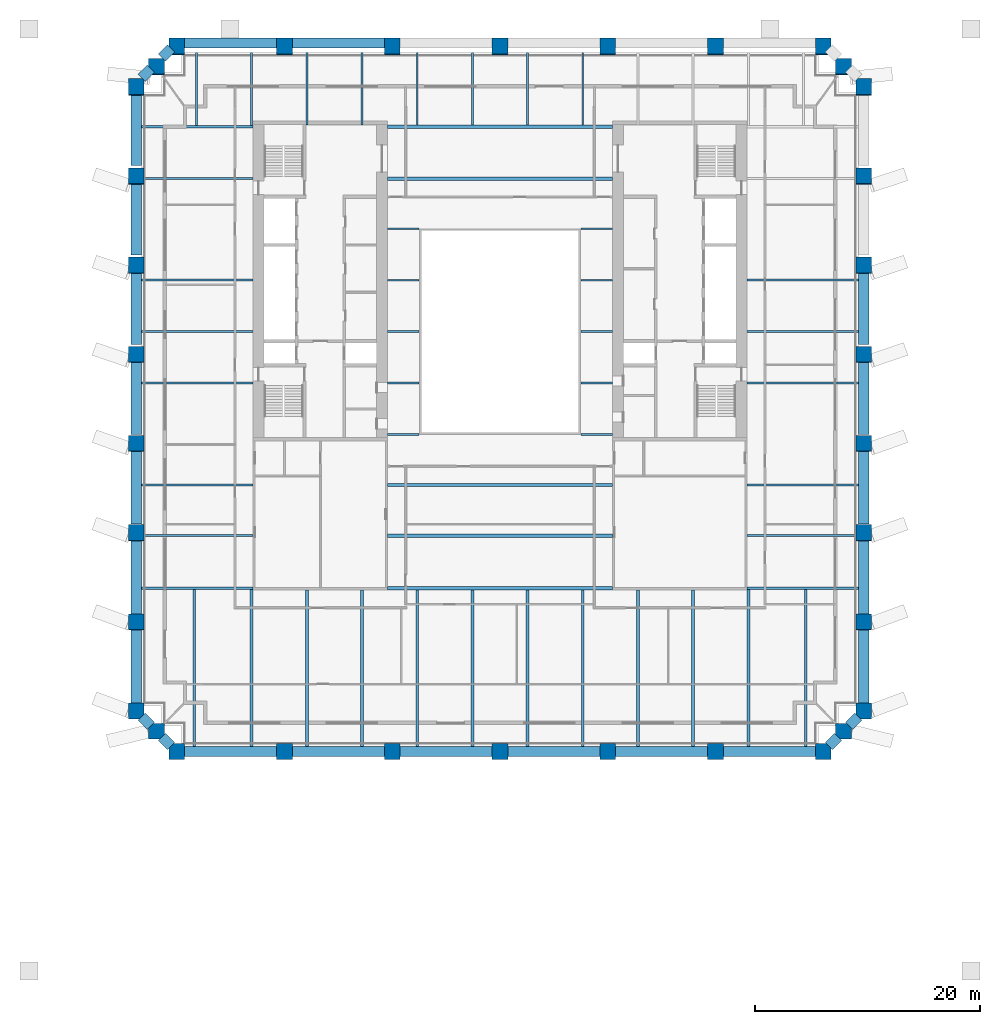
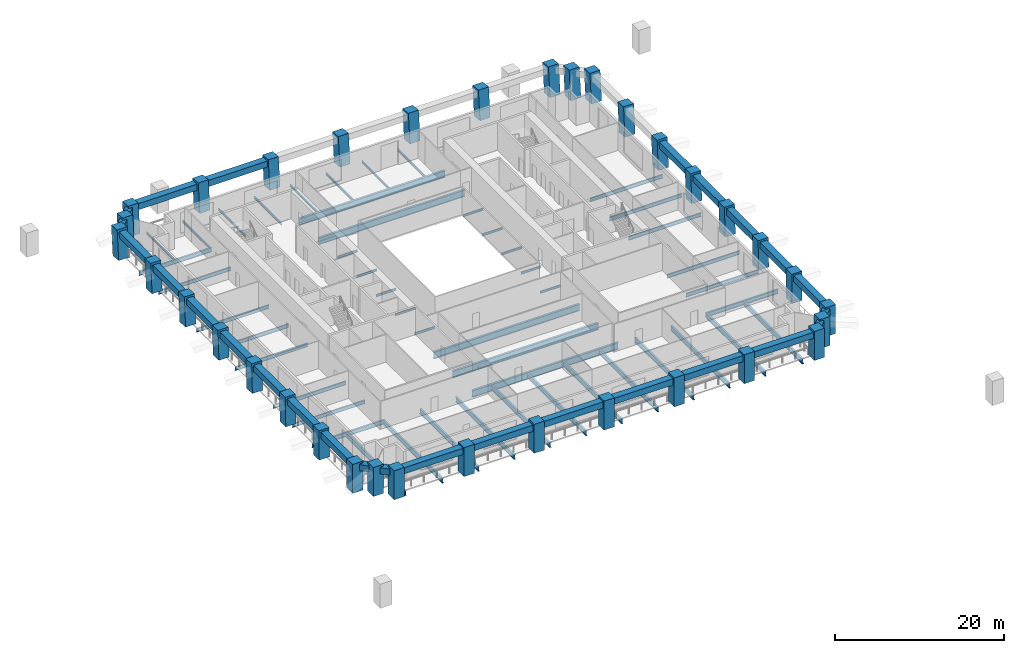
# One storey, part 1 of 10: 75 beams, 34 columns.
"""IFC4 building model written with IfcOpenShell, lengths in metres."""

from ifc_helpers import new_model, si_unit, direction, frame, origin, origin_2d, place, context, subcontext, project, spatial, rectangle, i_section, extrude, material, material_profile, profile_set, type_object, element, save


model = new_model("IFC4")

# Units and contexts
model_context = context("Model", 3, precision=1e-05, world=origin(), true_north=direction((0.0, 1.0)))
body_context = subcontext(model_context, "Body", "Model", "MODEL_VIEW")
ifc_project = project(units=[si_unit("LENGTHUNIT", "METRE"), si_unit("AREAUNIT", "SQUARE_METRE"), si_unit("VOLUMEUNIT", "CUBIC_METRE"), si_unit("PLANEANGLEUNIT", "RADIAN"), si_unit("MASSUNIT", "GRAM", prefix="KILO")], contexts=[model_context])

# Site, building, storey
site_placement = place(None, origin())
site = spatial("IfcSite", under=ifc_project, at=site_placement, CompositionType="ELEMENT")
building_placement = place(site_placement, origin())
building = spatial("IfcBuilding", under=site, at=building_placement, Name="Ogive Exchange Tower", CompositionType="ELEMENT")
storey_placement = place(building_placement, frame((0.0, 0.0, 43.800048828125)))
storey = spatial("IfcBuildingStorey", under=building, at=storey_placement, Name="L08", CompositionType="ELEMENT", Elevation=43.800048828125)

# Columns
ifc_material_1 = material(Name="Precast concrete C70/85 (limestone faced)", Category="masonry")
ifc_material_profile_1 = material_profile(ifc_material_1, rectangle(XDim=1.39990234375, YDim=1.39990234375, at=origin_2d()), Name="1400 x 1400")
ifc_profile_set_1 = profile_set([ifc_material_profile_1], Name="Precast concrete C70/85 (limestone faced)")
column_type = type_object("IfcColumnType", Name="Precast exoskeleton leg 1400 x 1400 C70/85", PredefinedType="COLUMN", material=ifc_profile_set_1)
for number, where, z_axis, x_axis, name in (
    (1, (-28.800048828125, -30.39990234375, 0.0), (0.0, 0.0, 1.0), (1.0, 0.0, 0.0), "Exoskeleton leg 1"),
    (2, (-19.199951171875, -30.39990234375, 0.0), (0.0, 0.0, 1.0), (1.0, 0.0, 0.0), "Exoskeleton leg 2"),
    (3, (-9.60009765625, -30.39990234375, 0.0), (0.0, 0.0, 1.0), (1.0, 0.0, 0.0), "Exoskeleton leg 3"),
    (4, (0.0, -30.39990234375, 0.0), (0.0, 0.0, 1.0), (1.0, 0.0, 0.0), "Exoskeleton leg 4"),
    (5, (9.60009765625, -30.39990234375, 0.0), (0.0, 0.0, 1.0), (1.0, 0.0, 0.0), "Exoskeleton leg 5"),
    (6, (19.199951171875, -30.39990234375, 0.0), (0.0, 0.0, 1.0), (1.0, 0.0, 0.0), "Exoskeleton leg 6"),
    (7, (28.800048828125, -30.39990234375, 0.0), (0.0, 0.0, 1.0), (1.0, 0.0, 0.0), "Exoskeleton leg 7"),
    (8, (32.39990234375, -26.800048828125, 0.0), (0.0, 0.0, 1.0), (1.0, 0.0, 0.0), "Exoskeleton leg 8"),
):
    element("IfcColumn", number, at=place(storey_placement, frame(where, z_axis=z_axis, x_axis=x_axis)), inside=storey, type_object=column_type, Name=name, PredefinedType="COLUMN", context=body_context, shape_type="SweptSolid", body=[
        extrude(rectangle(XDim=1.39990234375, YDim=1.39990234375, at=origin_2d()), origin(), (0.0, 0.0, 1.0), 4.199951171875),
    ])
column_1_placement = place(storey_placement, frame((32.39990234375, -18.867431640625, 0.0), z_axis=(0.0, 0.012961766342, 0.999915992778), x_axis=(-1.0, 0.0, 0.0)))
element("IfcColumn", 9, at=column_1_placement, inside=storey, type_object=column_type, Name="Exoskeleton leg 9", PredefinedType="COLUMN", context=body_context, shape_type="SweptSolid", body=[
    extrude(rectangle(XDim=1.39990234375, YDim=1.39990234375, at=origin_2d()), origin(), (0.0, 0.0, 1.0), 4.2001953125),
])
column_2_placement = place(storey_placement, frame((32.39990234375, -10.93505859375, 0.0), z_axis=(0.0, 0.025975072843, 0.999662590873), x_axis=(-1.0, 0.0, 0.0)))
element("IfcColumn", 10, at=column_2_placement, inside=storey, type_object=column_type, Name="Exoskeleton leg 10", PredefinedType="COLUMN", context=body_context, shape_type="SweptSolid", body=[
    extrude(rectangle(XDim=1.39990234375, YDim=1.39990234375, at=origin_2d()), origin(), (0.0, 0.0, 1.0), 4.201416015625),
])
column_3_placement = place(storey_placement, frame((32.39990234375, -3.002685546875, 0.0), z_axis=(0.0, 0.038917190853, 0.999242439179), x_axis=(-1.0, 0.0, 0.0)))
element("IfcColumn", 11, at=column_3_placement, inside=storey, type_object=column_type, Name="Exoskeleton leg 11", PredefinedType="COLUMN", context=body_context, shape_type="SweptSolid", body=[
    extrude(rectangle(XDim=1.39990234375, YDim=1.39990234375, at=origin_2d()), origin(), (0.0, 0.0, 1.0), 4.203125),
])
column_4_placement = place(storey_placement, frame((32.39990234375, 4.929931640625, 0.0), z_axis=(0.0, 0.051897648879, 0.99865240902), x_axis=(-1.0, 0.0, 0.0)))
element("IfcColumn", 12, at=column_4_placement, inside=storey, type_object=column_type, Name="Exoskeleton leg 12", PredefinedType="COLUMN", context=body_context, shape_type="SweptSolid", body=[
    extrude(rectangle(XDim=1.39990234375, YDim=1.39990234375, at=origin_2d()), origin(), (0.0, 0.0, 1.0), 4.20556640625),
])
column_5_placement = place(storey_placement, frame((32.39990234375, 12.8623046875, 0.0), z_axis=(0.0, 0.064794093908, 0.997898654872), x_axis=(-1.0, 0.0, 0.0)))
element("IfcColumn", 13, at=column_5_placement, inside=storey, type_object=column_type, Name="Exoskeleton leg 13", PredefinedType="COLUMN", context=body_context, shape_type="SweptSolid", body=[
    extrude(rectangle(XDim=1.39990234375, YDim=1.39990234375, at=origin_2d()), origin(), (0.0, 0.0, 1.0), 4.208740234375),
])
column_6_placement = place(storey_placement, frame((32.39990234375, 20.794921875, 0.0), z_axis=(0.0, 0.077658156178, 0.996980045326), x_axis=(-1.0, 0.0, 0.0)))
element("IfcColumn", 14, at=column_6_placement, inside=storey, type_object=column_type, Name="Exoskeleton leg 14", PredefinedType="COLUMN", context=body_context, shape_type="SweptSolid", body=[
    extrude(rectangle(XDim=1.39990234375, YDim=1.39990234375, at=origin_2d()), origin(), (0.0, 0.0, 1.0), 4.212646484375),
])
for number, where, z_axis, x_axis, name in (
    (15, (32.39990234375, 28.727294921875, 0.0), (0.0, 0.090540965689, 0.995892731941), (-1.0, 0.0, 0.0), "Exoskeleton leg 15"),
    (16, (28.800048828125, 32.327392578125, 0.0), (0.0, 0.090483549163, 0.995897950259), (-1.0, 0.0, 0.0), "Exoskeleton leg 16"),
    (17, (19.199951171875, 32.327392578125, 0.0), (0.0, 0.090483549163, 0.995897950259), (-1.0, 0.0, 0.0), "Exoskeleton leg 17"),
    (18, (9.60009765625, 32.327392578125, 0.0), (0.0, 0.090483549163, 0.995897950259), (-1.0, 0.0, 0.0), "Exoskeleton leg 18"),
    (19, (0.0, 32.327392578125, 0.0), (0.0, 0.090483549163, 0.995897950259), (-1.0, 0.0, 0.0), "Exoskeleton leg 19"),
    (20, (-9.60009765625, 32.327392578125, 0.0), (0.0, 0.090483549163, 0.995897950259), (-1.0, 0.0, 0.0), "Exoskeleton leg 20"),
    (21, (-19.199951171875, 32.327392578125, 0.0), (0.0, 0.090483549163, 0.995897950259), (-1.0, 0.0, 0.0), "Exoskeleton leg 21"),
    (22, (-28.800048828125, 32.327392578125, 0.0), (0.0, 0.090483549163, 0.995897950259), (-1.0, 0.0, 0.0), "Exoskeleton leg 22"),
    (23, (-32.39990234375, 28.727294921875, 0.0), (0.0, 0.090540965689, 0.995892731941), (-1.0, 0.0, 0.0), "Exoskeleton leg 23"),
):
    element("IfcColumn", number, at=place(storey_placement, frame(where, z_axis=z_axis, x_axis=x_axis)), inside=storey, type_object=column_type, Name=name, PredefinedType="COLUMN", context=body_context, shape_type="SweptSolid", body=[
        extrude(rectangle(XDim=1.39990234375, YDim=1.39990234375, at=origin_2d()), origin(), (0.0, 0.0, 1.0), 4.21728515625),
    ])
column_7_placement = place(storey_placement, frame((-32.39990234375, 20.794921875, 0.0), z_axis=(0.0, 0.077658156178, 0.996980045326), x_axis=(-1.0, 0.0, 0.0)))
element("IfcColumn", 24, at=column_7_placement, inside=storey, type_object=column_type, Name="Exoskeleton leg 24", PredefinedType="COLUMN", context=body_context, shape_type="SweptSolid", body=[
    extrude(rectangle(XDim=1.39990234375, YDim=1.39990234375, at=origin_2d()), origin(), (0.0, 0.0, 1.0), 4.212646484375),
])
column_8_placement = place(storey_placement, frame((-32.39990234375, 12.8623046875, 0.0), z_axis=(0.0, 0.064794093908, 0.997898654872), x_axis=(-1.0, 0.0, 0.0)))
element("IfcColumn", 25, at=column_8_placement, inside=storey, type_object=column_type, Name="Exoskeleton leg 25", PredefinedType="COLUMN", context=body_context, shape_type="SweptSolid", body=[
    extrude(rectangle(XDim=1.39990234375, YDim=1.39990234375, at=origin_2d()), origin(), (0.0, 0.0, 1.0), 4.208740234375),
])
column_9_placement = place(storey_placement, frame((-32.39990234375, 4.929931640625, 0.0), z_axis=(0.0, 0.051897648879, 0.99865240902), x_axis=(-1.0, 0.0, 0.0)))
element("IfcColumn", 26, at=column_9_placement, inside=storey, type_object=column_type, Name="Exoskeleton leg 26", PredefinedType="COLUMN", context=body_context, shape_type="SweptSolid", body=[
    extrude(rectangle(XDim=1.39990234375, YDim=1.39990234375, at=origin_2d()), origin(), (0.0, 0.0, 1.0), 4.20556640625),
])
column_10_placement = place(storey_placement, frame((-32.39990234375, -3.002685546875, 0.0), z_axis=(0.0, 0.038917190853, 0.999242439179), x_axis=(-1.0, 0.0, 0.0)))
element("IfcColumn", 27, at=column_10_placement, inside=storey, type_object=column_type, Name="Exoskeleton leg 27", PredefinedType="COLUMN", context=body_context, shape_type="SweptSolid", body=[
    extrude(rectangle(XDim=1.39990234375, YDim=1.39990234375, at=origin_2d()), origin(), (0.0, 0.0, 1.0), 4.203125),
])
column_11_placement = place(storey_placement, frame((-32.39990234375, -10.93505859375, 0.0), z_axis=(0.0, 0.025975072843, 0.999662590873), x_axis=(-1.0, 0.0, 0.0)))
element("IfcColumn", 28, at=column_11_placement, inside=storey, type_object=column_type, Name="Exoskeleton leg 28", PredefinedType="COLUMN", context=body_context, shape_type="SweptSolid", body=[
    extrude(rectangle(XDim=1.39990234375, YDim=1.39990234375, at=origin_2d()), origin(), (0.0, 0.0, 1.0), 4.201416015625),
])
column_12_placement = place(storey_placement, frame((-32.39990234375, -18.867431640625, 0.0), z_axis=(0.0, 0.012961766342, 0.999915992778), x_axis=(-1.0, 0.0, 0.0)))
element("IfcColumn", 29, at=column_12_placement, inside=storey, type_object=column_type, Name="Exoskeleton leg 29", PredefinedType="COLUMN", context=body_context, shape_type="SweptSolid", body=[
    extrude(rectangle(XDim=1.39990234375, YDim=1.39990234375, at=origin_2d()), origin(), (0.0, 0.0, 1.0), 4.2001953125),
])
for number, where, z_axis, x_axis, name in (
    (30, (-32.39990234375, -26.800048828125, 0.0), (0.0, 0.0, 1.0), (1.0, 0.0, 0.0), "Exoskeleton leg 30"),
    (31, (30.60009765625, -28.60009765625, 0.0), (0.0, 0.0, 1.0), (1.0, 0.0, 0.0), "Exoskeleton leg 31"),
):
    element("IfcColumn", number, at=place(storey_placement, frame(where, z_axis=z_axis, x_axis=x_axis)), inside=storey, type_object=column_type, Name=name, PredefinedType="COLUMN", context=body_context, shape_type="SweptSolid", body=[
        extrude(rectangle(XDim=1.39990234375, YDim=1.39990234375, at=origin_2d()), origin(), (0.0, 0.0, 1.0), 4.199951171875),
    ])
for number, where, z_axis, x_axis, name in (
    (32, (30.60009765625, 30.52734375, 0.0), (0.0, 0.090540965689, 0.995892731941), (-1.0, 0.0, 0.0), "Exoskeleton leg 32"),
    (33, (-30.60009765625, 30.52734375, 0.0), (0.0, 0.090540965689, 0.995892731941), (-1.0, 0.0, 0.0), "Exoskeleton leg 33"),
):
    element("IfcColumn", number, at=place(storey_placement, frame(where, z_axis=z_axis, x_axis=x_axis)), inside=storey, type_object=column_type, Name=name, PredefinedType="COLUMN", context=body_context, shape_type="SweptSolid", body=[
        extrude(rectangle(XDim=1.39990234375, YDim=1.39990234375, at=origin_2d()), origin(), (0.0, 0.0, 1.0), 4.21728515625),
    ])
column_13_placement = place(storey_placement, frame((-30.60009765625, -28.60009765625, 0.0), z_axis=(0.0, 0.0, 1.0), x_axis=(1.0, 0.0, 0.0)))
element("IfcColumn", 34, at=column_13_placement, inside=storey, type_object=column_type, Name="Exoskeleton leg 34", PredefinedType="COLUMN", context=body_context, shape_type="SweptSolid", body=[
    extrude(rectangle(XDim=1.39990234375, YDim=1.39990234375, at=origin_2d()), origin(), (0.0, 0.0, 1.0), 4.199951171875),
])

# Beams
ifc_material_2 = material(Name="Steel ASTM A992 Gr50", Category="steel")
ifc_material_profile_2 = material_profile(ifc_material_2, i_section(OverallWidth=0.300048828125, OverallDepth=0.969970703125, WebThickness=0.01611328125, FlangeThickness=0.02099609375, at=origin_2d()), Name="W1000x222")
ifc_profile_set_2 = profile_set([ifc_material_profile_2], Name="Steel ASTM A992 Gr50")
beam_type_1 = type_object("IfcBeamType", Name="Floor beam W1000x222", PredefinedType="JOIST", material=ifc_profile_set_2)
for number, where, z_axis, x_axis, name in (
    (35, (-10.0, -11.17822265625, -0.68505859375), (1.0, 0.0, 0.0), (0.0, 1.0, 0.0), "Floor beam"),
    (36, (-10.0, -6.666748046875, -0.68505859375), (1.0, 0.0, 0.0), (0.0, 1.0, 0.0), "Floor beam"),
    (37, (-10.0, 20.62255859375, -0.68505859375), (1.0, 0.0, 0.0), (0.0, 1.0, 0.0), "Floor beam"),
):
    element("IfcBeam", number, at=place(storey_placement, frame(where, z_axis=z_axis, x_axis=x_axis)), inside=storey, type_object=beam_type_1, Name=name, PredefinedType="JOIST", context=body_context, shape_type="SweptSolid", body=[
        extrude(i_section(OverallWidth=0.300048828125, OverallDepth=0.969970703125, WebThickness=0.01611328125, FlangeThickness=0.02099609375, at=origin_2d()), origin(), (0.0, 0.0, 1.0), 20.0),
    ])
ifc_material_profile_3 = material_profile(ifc_material_2, i_section(OverallWidth=0.1650390625, OverallDepth=0.31005859375, WebThickness=0.005859375, FlangeThickness=0.009765625, at=origin_2d()), Name="W310x38.7")
ifc_profile_set_3 = profile_set([ifc_material_profile_3], Name="Steel ASTM A992 Gr50")
beam_type_2 = type_object("IfcBeamType", Name="Floor beam W310x38.7", PredefinedType="JOIST", material=ifc_profile_set_3)
for number, where, z_axis, x_axis, name in (
    (38, (-10.0, 2.422607421875, -0.35498046875), (1.0, 0.0, 0.0), (0.0, 1.0, 0.0), "Floor beam"),
    (39, (7.219970703125, 2.422607421875, -0.35498046875), (1.0, 0.0, 0.0), (0.0, 1.0, 0.0), "Floor beam"),
    (40, (-10.0, 7.0, -0.35498046875), (1.0, 0.0, 0.0), (0.0, 1.0, 0.0), "Floor beam"),
    (41, (7.219970703125, 7.0, -0.35498046875), (1.0, 0.0, 0.0), (0.0, 1.0, 0.0), "Floor beam"),
    (42, (-10.0, 11.577392578125, -0.35498046875), (1.0, 0.0, 0.0), (0.0, 1.0, 0.0), "Floor beam"),
    (43, (7.219970703125, 11.577392578125, -0.35498046875), (1.0, 0.0, 0.0), (0.0, 1.0, 0.0), "Floor beam"),
):
    element("IfcBeam", number, at=place(storey_placement, frame(where, z_axis=z_axis, x_axis=x_axis)), inside=storey, type_object=beam_type_2, Name=name, PredefinedType="JOIST", context=body_context, shape_type="SweptSolid", body=[
        extrude(i_section(OverallWidth=0.1650390625, OverallDepth=0.31005859375, WebThickness=0.005859375, FlangeThickness=0.009765625, at=origin_2d()), origin(), (0.0, 0.0, 1.0), 2.780029296875),
    ])
for number, where, z_axis, x_axis, name in (
    (44, (-27.03466796875, 25.35888671875, -0.35498046875), (0.0, 1.0, 0.0), (-1.0, 0.0, 0.0), "Floor beam"),
    (45, (-22.119140625, 25.35888671875, -0.35498046875), (0.0, 1.0, 0.0), (-1.0, 0.0, 0.0), "Floor beam"),
):
    element("IfcBeam", number, at=place(storey_placement, frame(where, z_axis=z_axis, x_axis=x_axis)), inside=storey, type_object=beam_type_2, Name=name, PredefinedType="JOIST", context=body_context, shape_type="SweptSolid", body=[
        extrude(i_section(OverallWidth=0.1650390625, OverallDepth=0.31005859375, WebThickness=0.005859375, FlangeThickness=0.009765625, at=origin_2d()), origin(), (0.0, 0.0, 1.0), 6.518310546875),
    ])
for number, where, z_axis, x_axis, name in (
    (46, (-17.203857421875, 25.39990234375, -0.35498046875), (0.0, 1.0, 0.0), (-1.0, 0.0, 0.0), "Floor beam"),
    (47, (-12.28857421875, 25.39990234375, -0.35498046875), (0.0, 1.0, 0.0), (-1.0, 0.0, 0.0), "Floor beam"),
):
    element("IfcBeam", number, at=place(storey_placement, frame(where, z_axis=z_axis, x_axis=x_axis)), inside=storey, type_object=beam_type_2, Name=name, PredefinedType="JOIST", context=body_context, shape_type="SweptSolid", body=[
        extrude(i_section(OverallWidth=0.1650390625, OverallDepth=0.31005859375, WebThickness=0.005859375, FlangeThickness=0.009765625, at=origin_2d()), origin(), (0.0, 0.0, 1.0), 6.477294921875),
    ])
for number, where, z_axis, x_axis, name in (
    (48, (-7.373046875, 25.39501953125, -0.35498046875), (0.0, 1.0, 0.0), (-1.0, 0.0, 0.0), "Floor beam"),
    (49, (-2.457763671875, 25.39501953125, -0.35498046875), (0.0, 1.0, 0.0), (-1.0, 0.0, 0.0), "Floor beam"),
    (50, (2.457763671875, 25.39501953125, -0.35498046875), (0.0, 1.0, 0.0), (-1.0, 0.0, 0.0), "Floor beam"),
    (51, (7.373046875, 25.39501953125, -0.35498046875), (0.0, 1.0, 0.0), (-1.0, 0.0, 0.0), "Floor beam"),
):
    element("IfcBeam", number, at=place(storey_placement, frame(where, z_axis=z_axis, x_axis=x_axis)), inside=storey, type_object=beam_type_2, Name=name, PredefinedType="JOIST", context=body_context, shape_type="SweptSolid", body=[
        extrude(i_section(OverallWidth=0.1650390625, OverallDepth=0.31005859375, WebThickness=0.005859375, FlangeThickness=0.009765625, at=origin_2d()), origin(), (0.0, 0.0, 1.0), 6.482177734375),
    ])
ifc_material_profile_4 = material_profile(ifc_material_2, i_section(OverallWidth=0.1669921875, OverallDepth=0.535888671875, WebThickness=0.01025390625, FlangeThickness=0.0166015625, at=origin_2d()), Name="W530x85")
ifc_profile_set_4 = profile_set([ifc_material_profile_4], Name="Steel ASTM A992 Gr50")
beam_type_3 = type_object("IfcBeamType", Name="Floor beam W530x85", PredefinedType="JOIST", material=ifc_profile_set_4)
for number, where, z_axis, x_axis, name in (
    (52, (-31.949951171875, -11.17822265625, -0.468017578125), (1.0, 0.0, 0.0), (0.0, 1.0, 0.0), "Floor beam"),
    (53, (22.0, -11.17822265625, -0.468017578125), (1.0, 0.0, 0.0), (0.0, 1.0, 0.0), "Floor beam"),
    (54, (-31.949951171875, -6.666748046875, -0.468017578125), (1.0, 0.0, 0.0), (0.0, 1.0, 0.0), "Floor beam"),
    (55, (22.0, -6.666748046875, -0.468017578125), (1.0, 0.0, 0.0), (0.0, 1.0, 0.0), "Floor beam"),
    (56, (-31.949951171875, 2.422607421875, -0.468017578125), (1.0, 0.0, 0.0), (0.0, 1.0, 0.0), "Floor beam"),
    (57, (22.0, 2.422607421875, -0.468017578125), (1.0, 0.0, 0.0), (0.0, 1.0, 0.0), "Floor beam"),
    (58, (-31.949951171875, 7.0, -0.468017578125), (1.0, 0.0, 0.0), (0.0, 1.0, 0.0), "Floor beam"),
    (59, (22.0, 7.0, -0.468017578125), (1.0, 0.0, 0.0), (0.0, 1.0, 0.0), "Floor beam"),
    (60, (-31.949951171875, 11.577392578125, -0.468017578125), (1.0, 0.0, 0.0), (0.0, 1.0, 0.0), "Floor beam"),
    (61, (22.0, 11.577392578125, -0.468017578125), (1.0, 0.0, 0.0), (0.0, 1.0, 0.0), "Floor beam"),
    (62, (-31.949951171875, 20.62255859375, -0.468017578125), (1.0, 0.0, 0.0), (0.0, 1.0, 0.0), "Floor beam"),
):
    element("IfcBeam", number, at=place(storey_placement, frame(where, z_axis=z_axis, x_axis=x_axis)), inside=storey, type_object=beam_type_3, Name=name, PredefinedType="JOIST", context=body_context, shape_type="SweptSolid", body=[
        extrude(i_section(OverallWidth=0.1669921875, OverallDepth=0.535888671875, WebThickness=0.01025390625, FlangeThickness=0.0166015625, at=origin_2d()), origin(), (0.0, 0.0, 1.0), 9.949951171875),
    ])
ifc_material_profile_5 = material_profile(ifc_material_2, i_section(OverallWidth=0.25390625, OverallDepth=0.677978515625, WebThickness=0.01171875, FlangeThickness=0.016357421875, at=origin_2d()), Name="W690x125")
ifc_profile_set_5 = profile_set([ifc_material_profile_5], Name="Steel ASTM A992 Gr50")
beam_type_4 = type_object("IfcBeamType", Name="Floor beam W690x125", PredefinedType="JOIST", material=ifc_profile_set_5)
for number, where, z_axis, x_axis, name in (
    (63, (-27.234619140625, -29.949951171875, -0.5390625), (0.0, 1.0, 0.0), (-1.0, 0.0, 0.0), "Floor beam"),
    (64, (-22.119140625, -29.949951171875, -0.5390625), (0.0, 1.0, 0.0), (-1.0, 0.0, 0.0), "Floor beam"),
):
    element("IfcBeam", number, at=place(storey_placement, frame(where, z_axis=z_axis, x_axis=x_axis)), inside=storey, type_object=beam_type_4, Name=name, PredefinedType="JOIST", context=body_context, shape_type="SweptSolid", body=[
        extrude(i_section(OverallWidth=0.25390625, OverallDepth=0.677978515625, WebThickness=0.01171875, FlangeThickness=0.016357421875, at=origin_2d()), origin(), (0.0, 0.0, 1.0), 13.990966796875),
    ])
for number, where, z_axis, x_axis, name in (
    (65, (-17.203857421875, -29.949951171875, -0.5390625), (0.0, 1.0, 0.0), (-1.0, 0.0, 0.0), "Floor beam"),
    (66, (-12.28857421875, -29.949951171875, -0.5390625), (0.0, 1.0, 0.0), (-1.0, 0.0, 0.0), "Floor beam"),
):
    element("IfcBeam", number, at=place(storey_placement, frame(where, z_axis=z_axis, x_axis=x_axis)), inside=storey, type_object=beam_type_4, Name=name, PredefinedType="JOIST", context=body_context, shape_type="SweptSolid", body=[
        extrude(i_section(OverallWidth=0.25390625, OverallDepth=0.677978515625, WebThickness=0.01171875, FlangeThickness=0.016357421875, at=origin_2d()), origin(), (0.0, 0.0, 1.0), 13.949951171875),
    ])
for number, where, z_axis, x_axis, name in (
    (67, (-7.373046875, -29.949951171875, -0.5390625), (0.0, 1.0, 0.0), (-1.0, 0.0, 0.0), "Floor beam"),
    (68, (-2.457763671875, -29.949951171875, -0.5390625), (0.0, 1.0, 0.0), (-1.0, 0.0, 0.0), "Floor beam"),
    (69, (2.457763671875, -29.949951171875, -0.5390625), (0.0, 1.0, 0.0), (-1.0, 0.0, 0.0), "Floor beam"),
    (70, (7.373046875, -29.949951171875, -0.5390625), (0.0, 1.0, 0.0), (-1.0, 0.0, 0.0), "Floor beam"),
):
    element("IfcBeam", number, at=place(storey_placement, frame(where, z_axis=z_axis, x_axis=x_axis)), inside=storey, type_object=beam_type_4, Name=name, PredefinedType="JOIST", context=body_context, shape_type="SweptSolid", body=[
        extrude(i_section(OverallWidth=0.25390625, OverallDepth=0.677978515625, WebThickness=0.01171875, FlangeThickness=0.016357421875, at=origin_2d()), origin(), (0.0, 0.0, 1.0), 13.954833984375),
    ])
for number, where, z_axis, x_axis, name in (
    (71, (12.28857421875, -29.949951171875, -0.5390625), (0.0, 1.0, 0.0), (-1.0, 0.0, 0.0), "Floor beam"),
    (72, (17.203857421875, -29.949951171875, -0.5390625), (0.0, 1.0, 0.0), (-1.0, 0.0, 0.0), "Floor beam"),
):
    element("IfcBeam", number, at=place(storey_placement, frame(where, z_axis=z_axis, x_axis=x_axis)), inside=storey, type_object=beam_type_4, Name=name, PredefinedType="JOIST", context=body_context, shape_type="SweptSolid", body=[
        extrude(i_section(OverallWidth=0.25390625, OverallDepth=0.677978515625, WebThickness=0.01171875, FlangeThickness=0.016357421875, at=origin_2d()), origin(), (0.0, 0.0, 1.0), 13.949951171875),
    ])
for number, where, z_axis, x_axis, name in (
    (73, (22.119140625, -29.949951171875, -0.5390625), (0.0, 1.0, 0.0), (-1.0, 0.0, 0.0), "Floor beam"),
    (74, (27.234619140625, -29.949951171875, -0.5390625), (0.0, 1.0, 0.0), (-1.0, 0.0, 0.0), "Floor beam"),
):
    element("IfcBeam", number, at=place(storey_placement, frame(where, z_axis=z_axis, x_axis=x_axis)), inside=storey, type_object=beam_type_4, Name=name, PredefinedType="JOIST", context=body_context, shape_type="SweptSolid", body=[
        extrude(i_section(OverallWidth=0.25390625, OverallDepth=0.677978515625, WebThickness=0.01171875, FlangeThickness=0.016357421875, at=origin_2d()), origin(), (0.0, 0.0, 1.0), 13.990966796875),
    ])
ifc_material_profile_6 = material_profile(ifc_material_2, i_section(OverallWidth=0.300048828125, OverallDepth=0.97998046875, WebThickness=0.0166015625, FlangeThickness=0.026123046875, at=origin_2d()), Name="W1000x249")
ifc_profile_set_6 = profile_set([ifc_material_profile_6], Name="Steel ASTM A992 Gr50")
beam_type_5 = type_object("IfcBeamType", Name="Girder W1000x249", PredefinedType="BEAM", material=ifc_profile_set_6)
for number, where, z_axis, x_axis, name in (
    (75, (-10.0, -15.844970703125, -0.68994140625), (1.0, 0.0, 0.0), (0.0, 1.0, 0.0), "Header girder"),
    (76, (-10.0, 25.2451171875, -0.68994140625), (1.0, 0.0, 0.0), (0.0, 1.0, 0.0), "Header girder"),
):
    element("IfcBeam", number, at=place(storey_placement, frame(where, z_axis=z_axis, x_axis=x_axis)), inside=storey, type_object=beam_type_5, Name=name, PredefinedType="BEAM", context=body_context, shape_type="SweptSolid", body=[
        extrude(i_section(OverallWidth=0.300048828125, OverallDepth=0.97998046875, WebThickness=0.0166015625, FlangeThickness=0.026123046875, at=origin_2d()), origin(), (0.0, 0.0, 1.0), 20.0),
    ])
ifc_material_profile_7 = material_profile(ifc_material_2, i_section(OverallWidth=0.1650390625, OverallDepth=0.31005859375, WebThickness=0.005859375, FlangeThickness=0.009765625, at=origin_2d()), Name="W310x38.7")
ifc_profile_set_7 = profile_set([ifc_material_profile_7], Name="Steel ASTM A992 Gr50")
beam_type_6 = type_object("IfcBeamType", Name="Girder W310x38.7", PredefinedType="BEAM", material=ifc_profile_set_7)
for number, where, z_axis, x_axis, name in (
    (77, (-10.0, -2.155029296875, -0.35498046875), (1.0, 0.0, 0.0), (0.0, 1.0, 0.0), "Trimmer girder"),
    (78, (7.219970703125, -2.155029296875, -0.35498046875), (1.0, 0.0, 0.0), (0.0, 1.0, 0.0), "Trimmer girder"),
    (79, (-10.0, 16.155029296875, -0.35498046875), (1.0, 0.0, 0.0), (0.0, 1.0, 0.0), "Trimmer girder"),
    (80, (7.219970703125, 16.155029296875, -0.35498046875), (1.0, 0.0, 0.0), (0.0, 1.0, 0.0), "Trimmer girder"),
):
    element("IfcBeam", number, at=place(storey_placement, frame(where, z_axis=z_axis, x_axis=x_axis)), inside=storey, type_object=beam_type_6, Name=name, PredefinedType="BEAM", context=body_context, shape_type="SweptSolid", body=[
        extrude(i_section(OverallWidth=0.1650390625, OverallDepth=0.31005859375, WebThickness=0.005859375, FlangeThickness=0.009765625, at=origin_2d()), origin(), (0.0, 0.0, 1.0), 2.780029296875),
    ])
ifc_material_profile_8 = material_profile(ifc_material_2, i_section(OverallWidth=0.22802734375, OverallDepth=0.60205078125, WebThickness=0.010498046875, FlangeThickness=0.014892578125, at=origin_2d()), Name="W610x101")
ifc_profile_set_8 = profile_set([ifc_material_profile_8], Name="Steel ASTM A992 Gr50")
beam_type_7 = type_object("IfcBeamType", Name="Girder W610x101", PredefinedType="BEAM", material=ifc_profile_set_8)
for number, where, z_axis, x_axis, name in (
    (81, (-31.949951171875, -15.844970703125, -0.5009765625), (1.0, 0.0, 0.0), (0.0, 1.0, 0.0), "Header girder"),
    (82, (22.0, -15.844970703125, -0.5009765625), (1.0, 0.0, 0.0), (0.0, 1.0, 0.0), "Header girder"),
    (83, (-31.949951171875, 25.2451171875, -0.5009765625), (1.0, 0.0, 0.0), (0.0, 1.0, 0.0), "Header girder"),
):
    element("IfcBeam", number, at=place(storey_placement, frame(where, z_axis=z_axis, x_axis=x_axis)), inside=storey, type_object=beam_type_7, Name=name, PredefinedType="BEAM", context=body_context, shape_type="SweptSolid", body=[
        extrude(i_section(OverallWidth=0.22802734375, OverallDepth=0.60205078125, WebThickness=0.010498046875, FlangeThickness=0.014892578125, at=origin_2d()), origin(), (0.0, 0.0, 1.0), 9.949951171875),
    ])
ifc_material_profile_9 = material_profile(ifc_material_1, rectangle(XDim=0.89990234375, YDim=0.89990234375, at=origin_2d()), Name="900 x 900")
ifc_profile_set_9 = profile_set([ifc_material_profile_9], Name="Precast concrete C70/85 (limestone faced)")
beam_type_8 = type_object("IfcBeamType", Name="Precast spandrel 900 x 900 C70/85", PredefinedType="SPANDREL", material=ifc_profile_set_9)
beam_1_placement = place(storey_placement, frame((-28.1201171875, -30.39990234375, 3.5), z_axis=(1.0, 0.0, 0.0), x_axis=(0.0, 1.0, 0.0)))
element("IfcBeam", 84, at=beam_1_placement, inside=storey, type_object=beam_type_8, Name="Spandrel 1", PredefinedType="SPANDREL", context=body_context, shape_type="SweptSolid", body=[
    extrude(rectangle(XDim=0.89990234375, YDim=0.89990234375, at=origin_2d()), origin(), (0.0, 0.0, 1.0), 8.240234375),
])
for number, where, z_axis, x_axis, name in (
    (85, (-18.52001953125, -30.39990234375, 3.5), (1.0, 0.0, 0.0), (0.0, 1.0, 0.0), "Spandrel 2"),
    (86, (-8.919921875, -30.39990234375, 3.5), (1.0, 0.0, 0.0), (0.0, 1.0, 0.0), "Spandrel 3"),
    (87, (0.679931640625, -30.39990234375, 3.5), (1.0, 0.0, 0.0), (0.0, 1.0, 0.0), "Spandrel 4"),
    (88, (10.280029296875, -30.39990234375, 3.5), (1.0, 0.0, 0.0), (0.0, 1.0, 0.0), "Spandrel 5"),
):
    element("IfcBeam", number, at=place(storey_placement, frame(where, z_axis=z_axis, x_axis=x_axis)), inside=storey, type_object=beam_type_8, Name=name, PredefinedType="SPANDREL", context=body_context, shape_type="SweptSolid", body=[
        extrude(rectangle(XDim=0.89990234375, YDim=0.89990234375, at=origin_2d()), origin(), (0.0, 0.0, 1.0), 8.239990234375),
    ])
beam_2_placement = place(storey_placement, frame((19.8798828125, -30.39990234375, 3.5), z_axis=(1.0, 0.0, 0.0), x_axis=(0.0, 1.0, 0.0)))
element("IfcBeam", 89, at=beam_2_placement, inside=storey, type_object=beam_type_8, Name="Spandrel 6", PredefinedType="SPANDREL", context=body_context, shape_type="SweptSolid", body=[
    extrude(rectangle(XDim=0.89990234375, YDim=0.89990234375, at=origin_2d()), origin(), (0.0, 0.0, 1.0), 8.240234375),
])
for number, where, z_axis, x_axis, name in (
    (90, (29.287841796875, -29.912109375, 3.5), (0.707106781187, 0.707106781187, 0.0), (-0.707106781187, 0.707106781187, 0.0), "Spandrel 7"),
    (91, (31.087890625, -28.112060546875, 3.5), (0.707106781187, 0.707106781187, 0.0), (-0.707106781187, 0.707106781187, 0.0), "Spandrel 8"),
):
    element("IfcBeam", number, at=place(storey_placement, frame(where, z_axis=z_axis, x_axis=x_axis)), inside=storey, type_object=beam_type_8, Name=name, PredefinedType="SPANDREL", context=body_context, shape_type="SweptSolid", body=[
        extrude(rectangle(XDim=0.89990234375, YDim=0.89990234375, at=origin_2d()), origin(), (0.0, 0.0, 1.0), 1.16552734375),
    ])
beam_3_placement = place(storey_placement, frame((32.39990234375, -26.1201171875, 3.5), z_axis=(0.0, 1.0, 0.0), x_axis=(-1.0, 0.0, 0.0)))
element("IfcBeam", 92, at=beam_3_placement, inside=storey, type_object=beam_type_8, Name="Spandrel 9", PredefinedType="SPANDREL", context=body_context, shape_type="SweptSolid", body=[
    extrude(rectangle(XDim=0.89990234375, YDim=0.89990234375, at=origin_2d()), origin(), (0.0, 0.0, 1.0), 6.627197265625),
])
for number, where, z_axis, x_axis, name in (
    (93, (32.39990234375, -18.133056640625, 3.5), (0.0, 1.0, 0.0), (-1.0, 0.0, 0.0), "Spandrel 10"),
    (94, (32.39990234375, -10.14599609375, 3.5), (0.0, 1.0, 0.0), (-1.0, 0.0, 0.0), "Spandrel 11"),
    (95, (32.39990234375, -2.158935546875, 3.5), (0.0, 1.0, 0.0), (-1.0, 0.0, 0.0), "Spandrel 12"),
    (96, (32.39990234375, 5.828125, 3.5), (0.0, 1.0, 0.0), (-1.0, 0.0, 0.0), "Spandrel 13"),
):
    element("IfcBeam", number, at=place(storey_placement, frame(where, z_axis=z_axis, x_axis=x_axis)), inside=storey, type_object=beam_type_8, Name=name, PredefinedType="SPANDREL", context=body_context, shape_type="SweptSolid", body=[
        extrude(rectangle(XDim=0.89990234375, YDim=0.89990234375, at=origin_2d()), origin(), (0.0, 0.0, 1.0), 6.626953125),
    ])
beam_4_placement = place(storey_placement, frame((-10.280029296875, 32.708984375, 3.5), z_axis=(-1.0, 0.0, 0.0), x_axis=(0.0, -1.0, 0.0)))
element("IfcBeam", 97, at=beam_4_placement, inside=storey, type_object=beam_type_8, Name="Spandrel 22", PredefinedType="SPANDREL", context=body_context, shape_type="SweptSolid", body=[
    extrude(rectangle(XDim=0.89990234375, YDim=0.89990234375, at=origin_2d()), origin(), (0.0, 0.0, 1.0), 8.239990234375),
])
beam_5_placement = place(storey_placement, frame((-19.8798828125, 32.708984375, 3.5), z_axis=(-1.0, 0.0, 0.0), x_axis=(0.0, -1.0, 0.0)))
element("IfcBeam", 98, at=beam_5_placement, inside=storey, type_object=beam_type_8, Name="Spandrel 23", PredefinedType="SPANDREL", context=body_context, shape_type="SweptSolid", body=[
    extrude(rectangle(XDim=0.89990234375, YDim=0.89990234375, at=origin_2d()), origin(), (0.0, 0.0, 1.0), 8.240234375),
])
for number, where, z_axis, x_axis, name in (
    (99, (-29.287841796875, 32.22119140625, 3.5), (-0.707106781187, -0.707106781187, 0.0), (0.707106781187, -0.707106781187, 0.0), "Spandrel 24"),
    (100, (-31.087890625, 30.421142578125, 3.5), (-0.707106781187, -0.707106781187, 0.0), (0.707106781187, -0.707106781187, 0.0), "Spandrel 25"),
):
    element("IfcBeam", number, at=place(storey_placement, frame(where, z_axis=z_axis, x_axis=x_axis)), inside=storey, type_object=beam_type_8, Name=name, PredefinedType="SPANDREL", context=body_context, shape_type="SweptSolid", body=[
        extrude(rectangle(XDim=0.89990234375, YDim=0.89990234375, at=origin_2d()), origin(), (0.0, 0.0, 1.0), 1.16552734375),
    ])
beam_6_placement = place(storey_placement, frame((-32.39990234375, 28.42919921875, 3.5), z_axis=(0.0, -1.0, 0.0), x_axis=(1.0, 0.0, 0.0)))
element("IfcBeam", 101, at=beam_6_placement, inside=storey, type_object=beam_type_8, Name="Spandrel 26", PredefinedType="SPANDREL", context=body_context, shape_type="SweptSolid", body=[
    extrude(rectangle(XDim=0.89990234375, YDim=0.89990234375, at=origin_2d()), origin(), (0.0, 0.0, 1.0), 6.627197265625),
])
for number, where, z_axis, x_axis, name in (
    (102, (-32.39990234375, 20.442138671875, 3.5), (0.0, -1.0, 0.0), (1.0, 0.0, 0.0), "Spandrel 27"),
    (103, (-32.39990234375, 12.455078125, 3.5), (0.0, -1.0, 0.0), (1.0, 0.0, 0.0), "Spandrel 28"),
    (104, (-32.39990234375, 4.468017578125, 3.5), (0.0, -1.0, 0.0), (1.0, 0.0, 0.0), "Spandrel 29"),
    (105, (-32.39990234375, -3.51904296875, 3.5), (0.0, -1.0, 0.0), (1.0, 0.0, 0.0), "Spandrel 30"),
    (106, (-32.39990234375, -11.506103515625, 3.5), (0.0, -1.0, 0.0), (1.0, 0.0, 0.0), "Spandrel 31"),
):
    element("IfcBeam", number, at=place(storey_placement, frame(where, z_axis=z_axis, x_axis=x_axis)), inside=storey, type_object=beam_type_8, Name=name, PredefinedType="SPANDREL", context=body_context, shape_type="SweptSolid", body=[
        extrude(rectangle(XDim=0.89990234375, YDim=0.89990234375, at=origin_2d()), origin(), (0.0, 0.0, 1.0), 6.626953125),
    ])
beam_7_placement = place(storey_placement, frame((-32.39990234375, -19.492919921875, 3.5), z_axis=(0.0, -1.0, 0.0), x_axis=(1.0, 0.0, 0.0)))
element("IfcBeam", 107, at=beam_7_placement, inside=storey, type_object=beam_type_8, Name="Spandrel 32", PredefinedType="SPANDREL", context=body_context, shape_type="SweptSolid", body=[
    extrude(rectangle(XDim=0.89990234375, YDim=0.89990234375, at=origin_2d()), origin(), (0.0, 0.0, 1.0), 6.627197265625),
])
for number, where, z_axis, x_axis, name in (
    (108, (-31.912109375, -27.287841796875, 3.5), (0.707106781187, -0.707106781187, 0.0), (0.707106781187, 0.707106781187, 0.0), "Spandrel 33"),
    (109, (-30.112060546875, -29.087890625, 3.5), (0.707106781187, -0.707106781187, 0.0), (0.707106781187, 0.707106781187, 0.0), "Spandrel 34"),
):
    element("IfcBeam", number, at=place(storey_placement, frame(where, z_axis=z_axis, x_axis=x_axis)), inside=storey, type_object=beam_type_8, Name=name, PredefinedType="SPANDREL", context=body_context, shape_type="SweptSolid", body=[
        extrude(rectangle(XDim=0.89990234375, YDim=0.89990234375, at=origin_2d()), origin(), (0.0, 0.0, 1.0), 1.16552734375),
    ])

save(model, "model.ifc")
